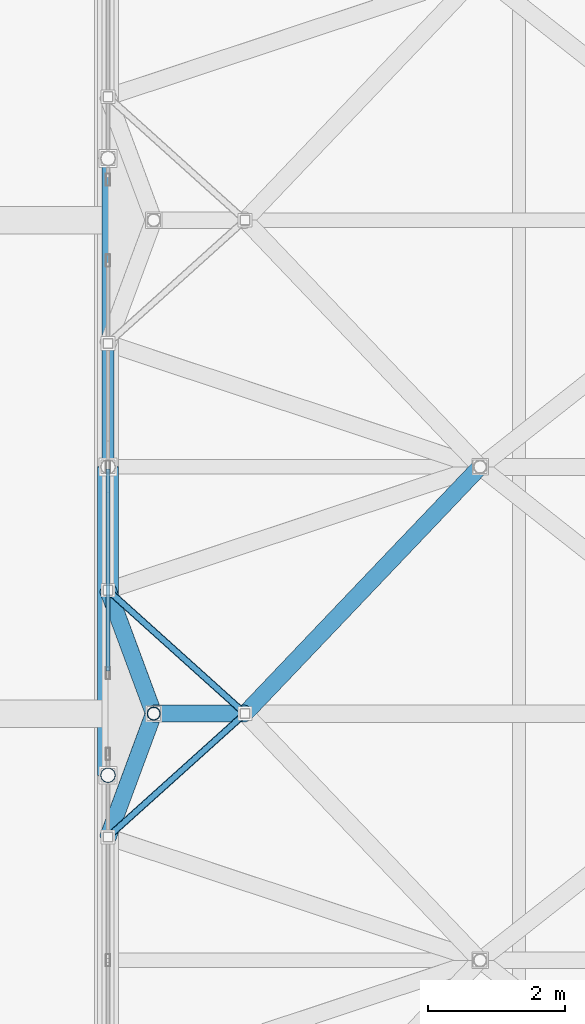
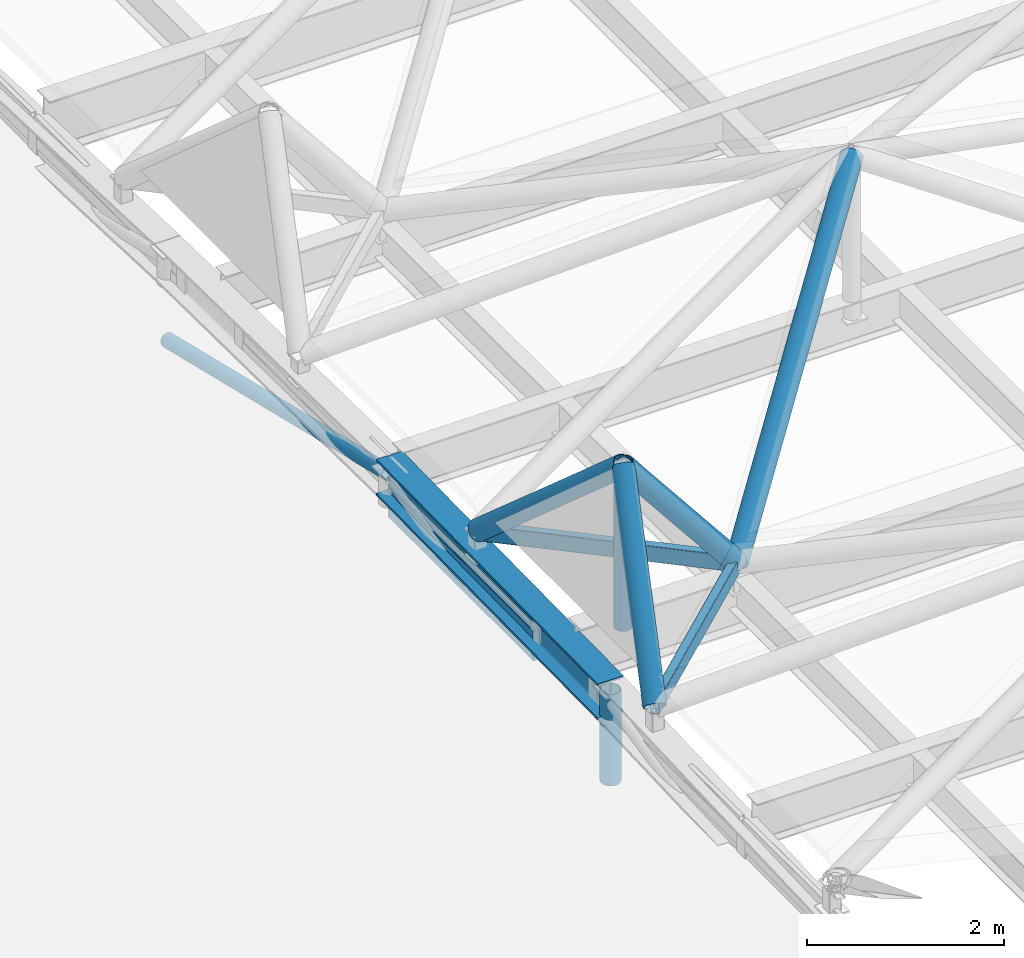
# One storey, part 51 of 239: 10 members, 3 beams, 1 element without a shape of its own.
"""IFC4 building model written with IfcOpenShell, lengths in metres."""

from ifc_helpers import new_model, si_unit, direction, frame, origin, origin_2d, place, context, subcontext, project, spatial, hollow_rectangle, hollow_circle, i_section, extrude, material, layer, layer_set, material_profile, profile_set, type_object, element, aggregate, save


model = new_model("IFC4")

# Units and contexts
model_context = context("Model", 3, precision=1e-05, world=origin(), true_north=direction((0.0, 1.0)))
body_context = subcontext(model_context, "Body", "Model", "MODEL_VIEW")
ifc_project = project(units=[si_unit("LENGTHUNIT", "METRE"), si_unit("AREAUNIT", "SQUARE_METRE"), si_unit("VOLUMEUNIT", "CUBIC_METRE"), si_unit("PLANEANGLEUNIT", "RADIAN"), si_unit("MASSUNIT", "GRAM", prefix="KILO")], contexts=[model_context])

# Site, building, storey
site_placement = place(None, origin())
site = spatial("IfcSite", under=ifc_project, at=site_placement, CompositionType="ELEMENT")
building_placement = place(site_placement, origin())
building = spatial("IfcBuilding", under=site, at=building_placement, Name="Dunvalen Ferry Terminal", CompositionType="ELEMENT")
storey_placement = place(building_placement, frame((0.0, 0.0, 9.840087890625)))
storey = spatial("IfcBuildingStorey", under=building, at=storey_placement, Name="L02", CompositionType="ELEMENT", Elevation=9.840087890625)

# Curtain wall, members
ifc_material_1 = material(Name="Anodised marine aluminium and solar-control glazing", Category="aluminium")
ifc_layer = layer(ifc_material_1, 0.219970703125, Name="Anodised marine aluminium and solar-control glazing")
ifc_layer_set = layer_set([ifc_layer], Name="Anodised marine aluminium and solar-control glazing")
curtain_wall_type = type_object("IfcCurtainWallType", Name="ENV-CW-SYS-04", PredefinedType="NOTDEFINED", material=ifc_layer_set)
curtain_wall_placement = place(storey_placement, origin())
curtain_wall = element("IfcCurtainWall", 1, at=curtain_wall_placement, inside=storey, type_object=curtain_wall_type, Name="L02 Curtain Wall CW-V1W-CLR-03", PredefinedType="NOTDEFINED")
ifc_material_2 = material(Name="Anodised marine aluminium EN AW-6063 T6", Category="aluminium")
ifc_material_profile_1 = material_profile(ifc_material_2, hollow_rectangle(XDim=0.06005859375, YDim=0.135009765625, WallThickness=0.003173828125, InnerFilletRadius=0.003173828125, OuterFilletRadius=0.00634765625, at=origin_2d()), Name="Anodised marine aluminium EN AW-6063 T6")
ifc_profile_set_1 = profile_set([ifc_material_profile_1], Name="Anodised marine aluminium EN AW-6063 T6")
member_type_1 = type_object("IfcMemberType", Name="ENV-CW-TRN-2", PredefinedType="USERDEFINED", material=ifc_profile_set_1)
member_1_placement = place(storey_placement, frame((12.0, 65.419921875, 0.27001953125), z_axis=(0.0, 1.0, 0.0), x_axis=(-1.0, 0.0, 0.0)))
member_1 = element("IfcMember", 2, at=member_1_placement, type_object=member_type_1, Name="CW-04 transom 1.1", ObjectType="TRANSOM", PredefinedType="USERDEFINED", context=body_context, shape_type="SweptSolid", body=[
    extrude(hollow_rectangle(XDim=0.06005859375, YDim=0.135009765625, WallThickness=0.003173828125, InnerFilletRadius=0.003173828125, OuterFilletRadius=0.00634765625, at=origin_2d()), origin(), (0.0, 0.0, 1.0), 2.9501953125),
])
member_2_placement = place(storey_placement, frame((12.0, 65.419921875, 0.510009765625), z_axis=(0.0, 1.0, 0.0), x_axis=(-1.0, 0.0, 0.0)))
member_2 = element("IfcMember", 3, at=member_2_placement, type_object=member_type_1, Name="CW-04 transom 1.2", ObjectType="TRANSOM", PredefinedType="USERDEFINED", context=body_context, shape_type="SweptSolid", body=[
    extrude(hollow_rectangle(XDim=0.06005859375, YDim=0.135009765625, WallThickness=0.003173828125, InnerFilletRadius=0.003173828125, OuterFilletRadius=0.00634765625, at=origin_2d()), origin(), (0.0, 0.0, 1.0), 2.9501953125),
])
member_3_placement = place(storey_placement, frame((12.0, 65.419921875, 0.75), z_axis=(0.0, 1.0, 0.0), x_axis=(-1.0, 0.0, 0.0)))
member_3 = element("IfcMember", 4, at=member_3_placement, type_object=member_type_1, Name="CW-04 transom 1.3", ObjectType="TRANSOM", PredefinedType="USERDEFINED", context=body_context, shape_type="SweptSolid", body=[
    extrude(hollow_rectangle(XDim=0.06005859375, YDim=0.135009765625, WallThickness=0.003173828125, InnerFilletRadius=0.003173828125, OuterFilletRadius=0.00634765625, at=origin_2d()), origin(), (0.0, 0.0, 1.0), 2.9501953125),
])
aggregate(curtain_wall, [member_1, member_2, member_3])

# Beams
ifc_material_3 = material(Name="Steel S355", Category="steel")
ifc_material_profile_2 = material_profile(ifc_material_3, i_section(OverallWidth=0.300048828125, OverallDepth=0.449951171875, WebThickness=0.013916015625, FlangeThickness=0.02587890625, FilletRadius=0.027099609375, at=origin_2d()), Name="Steel S355")
ifc_profile_set_2 = profile_set([ifc_material_profile_2], Name="Steel S355")
beam_type_1 = type_object("IfcBeamType", Name="STR-BM-HEB450", PredefinedType="BEAM", material=ifc_profile_set_2)
beam_placement = place(storey_placement, frame((12.0, 63.89990234375, 0.65869140625), z_axis=(0.0, 0.999907293085, 0.01361635908), x_axis=(-1.0, 0.0, 0.0)))
element("IfcBeam", 5, at=beam_placement, inside=storey, type_object=beam_type_1, Name="Departure Hall Tied-Arch Rib 01.4", PredefinedType="BEAM", context=body_context, shape_type="SweptSolid", body=[
    extrude(i_section(OverallWidth=0.300048828125, OverallDepth=0.449951171875, WebThickness=0.013916015625, FlangeThickness=0.02587890625, FilletRadius=0.027099609375, at=origin_2d()), origin(), (0.0, 0.0, 1.0), 4.50048828125),
])
ifc_material_profile_3 = material_profile(ifc_material_3, hollow_rectangle(XDim=0.10009765625, YDim=0.199951171875, WallThickness=0.008056640625, InnerFilletRadius=0.008056640625, OuterFilletRadius=0.01611328125, at=origin_2d()), Name="Steel S355")
ifc_profile_set_3 = profile_set([ifc_material_profile_3], Name="Steel S355")
beam_type_2 = type_object("IfcBeamType", Name="STR-BM-RHS200", PredefinedType="BEAM", material=ifc_profile_set_3)
for number, where, z_axis, x_axis, name in (
    (6, (12.0, 63.0, 1.099853515625), (0.743285123004, 0.668974757313, 0.0), (-0.668974757313, 0.743285123004, 0.0), "HEX-03 Hexagonal Rim Beam 1"),
    (7, (14.0, 64.800048828125, 1.099853515625), (-0.743285123004, 0.668974757313, 0.0), (-0.668974757313, -0.743285123004, 0.0), "HEX-03 Hexagonal Rim Beam 2"),
):
    element("IfcBeam", number, at=place(storey_placement, frame(where, z_axis=z_axis, x_axis=x_axis)), inside=storey, type_object=beam_type_2, Name=name, PredefinedType="BEAM", context=body_context, shape_type="SweptSolid", body=[
        extrude(hollow_rectangle(XDim=0.10009765625, YDim=0.199951171875, WallThickness=0.008056640625, InnerFilletRadius=0.008056640625, OuterFilletRadius=0.01611328125, at=origin_2d()), origin(), (0.0, 0.0, 1.0), 2.690673828125),
    ])

# Members
ifc_material_profile_4 = material_profile(ifc_material_3, hollow_circle(Radius=0.084228515625, WallThickness=0.008056640625, at=origin_2d()), Name="Steel S355")
ifc_profile_set_4 = profile_set([ifc_material_profile_4], Name="Steel S355")
member_type_2 = type_object("IfcMemberType", Name="STR-MB-CHS168", PredefinedType="BRACE", material=ifc_profile_set_4)
member_4_placement = place(storey_placement, frame((12.0, 68.39990234375, 0.719970703125), z_axis=(0.0, 0.972383470914, -0.233388914677), x_axis=(-1.0, 0.0, 0.0)))
element("IfcMember", 8, at=member_4_placement, inside=storey, type_object=member_type_2, Name="Departure Hall Arch Web Diagonal 01.5", PredefinedType="BRACE", context=body_context, shape_type="SweptSolid", body=[
    extrude(hollow_circle(Radius=0.084228515625, WallThickness=0.008056640625, at=origin_2d()), origin(), (0.0, 0.0, 1.0), 4.627685546875),
])
ifc_material_profile_5 = material_profile(ifc_material_3, hollow_circle(Radius=0.096923828125, WallThickness=0.008056640625, at=origin_2d()), Name="Steel S355")
ifc_profile_set_5 = profile_set([ifc_material_profile_5], Name="Steel S355")
member_type_3 = type_object("IfcMemberType", Name="STR-MB-CHS193", PredefinedType="STRUT", material=ifc_profile_set_5)
member_5_placement = place(storey_placement, frame((12.666748046875, 64.800048828125, 0.77001953125), z_axis=(0.0, 0.0, 1.0), x_axis=(1.0, 0.0, 0.0)))
element("IfcMember", 9, at=member_5_placement, inside=storey, type_object=member_type_3, Name="HEX-03 Pyramid Apex Strut", PredefinedType="STRUT", context=body_context, shape_type="SweptSolid", body=[
    extrude(hollow_circle(Radius=0.096923828125, WallThickness=0.008056640625, at=origin_2d()), origin(), (0.0, 0.0, 1.0), 1.994873046875),
])
ifc_material_profile_6 = material_profile(ifc_material_3, hollow_circle(Radius=0.109619140625, WallThickness=0.010009765625, at=origin_2d()), Name="Steel S355")
ifc_profile_set_6 = profile_set([ifc_material_profile_6], Name="Steel S355")
member_type_4 = type_object("IfcMemberType", Name="STR-MB-CHS219", PredefinedType="STRUT", material=ifc_profile_set_6)
member_6_placement = place(storey_placement, frame((12.0, 63.89990234375, -0.360107421875), z_axis=(0.0, 0.0, 1.0), x_axis=(1.0, 0.0, 0.0)))
element("IfcMember", 10, at=member_6_placement, inside=storey, type_object=member_type_4, Name="Departure Hall Arch Spandrel Strut 01.3", PredefinedType="STRUT", context=body_context, shape_type="SweptSolid", body=[
    extrude(hollow_circle(Radius=0.109619140625, WallThickness=0.010009765625, at=origin_2d()), origin(), (0.0, 0.0, 1.0), 1.130126953125),
])
ifc_material_profile_7 = material_profile(ifc_material_3, hollow_circle(Radius=0.122314453125, WallThickness=0.010009765625, at=origin_2d()), Name="Steel S355")
ifc_profile_set_7 = profile_set([ifc_material_profile_7], Name="Steel S355")
member_type_5 = type_object("IfcMemberType", Name="STR-MB-CHS244", PredefinedType="STRUT", material=ifc_profile_set_7)
member_7_placement = place(storey_placement, frame((12.0, 63.0, 1.099853515625), z_axis=(0.262387740737, 0.708379645717, 0.65524877035), x_axis=(-0.937738020856, 0.34734335209, 0.0)))
element("IfcMember", 11, at=member_7_placement, inside=storey, type_object=member_type_5, Name="HEX-03 Pyramid Hip Rafter 1", PredefinedType="STRUT", context=body_context, shape_type="SweptSolid", body=[
    extrude(hollow_circle(Radius=0.122314453125, WallThickness=0.010009765625, at=origin_2d()), origin(), (0.0, 0.0, 1.0), 2.541015625),
])
member_8_placement = place(storey_placement, frame((14.0, 64.800048828125, 1.099853515625), z_axis=(-0.625043936243, 0.0, 0.780589570624), x_axis=(0.0, -1.0, 0.0)))
element("IfcMember", 12, at=member_8_placement, inside=storey, type_object=member_type_5, Name="HEX-03 Pyramid Hip Rafter 2", PredefinedType="STRUT", context=body_context, shape_type="SweptSolid", body=[
    extrude(hollow_circle(Radius=0.122314453125, WallThickness=0.010009765625, at=origin_2d()), origin(), (0.0, 0.0, 1.0), 2.133056640625),
])
member_9_placement = place(storey_placement, frame((12.0, 66.60009765625, 1.099853515625), z_axis=(0.262387740737, -0.708379645717, 0.65524877035), x_axis=(0.937738020856, 0.34734335209, 0.0)))
element("IfcMember", 13, at=member_9_placement, inside=storey, type_object=member_type_5, Name="HEX-03 Pyramid Hip Rafter 3", PredefinedType="STRUT", context=body_context, shape_type="SweptSolid", body=[
    extrude(hollow_circle(Radius=0.122314453125, WallThickness=0.010009765625, at=origin_2d()), origin(), (0.0, 0.0, 1.0), 2.541015625),
])
member_10_placement = place(storey_placement, frame((14.0, 64.800048828125, 1.099853515625), z_axis=(0.653979846008, 0.686622958516, 0.317583491155), x_axis=(-0.724109901608, 0.689684602114, 0.0)))
element("IfcMember", 14, at=member_10_placement, inside=storey, type_object=member_type_5, Name="HEX-09 Pyramid Hip Rafter 3", PredefinedType="STRUT", context=body_context, shape_type="SweptSolid", body=[
    extrude(hollow_circle(Radius=0.122314453125, WallThickness=0.010009765625, at=origin_2d()), origin(), (0.0, 0.0, 1.0), 5.242919921875),
])

save(model, "model.ifc")
